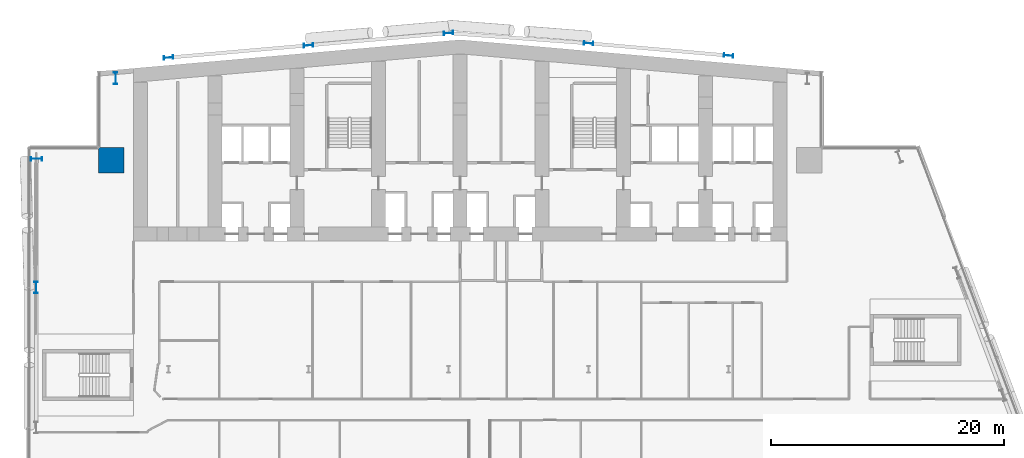
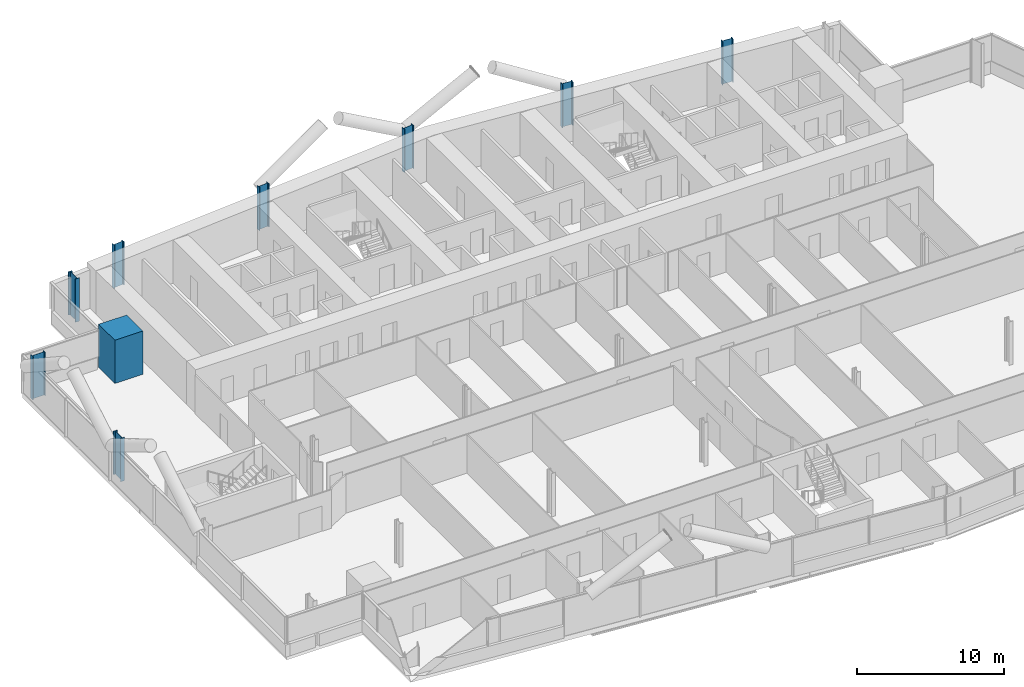
# One storey, part 2 of 28: 9 columns.
"""IFC4 building model written with IfcOpenShell, lengths in metres."""

from ifc_helpers import new_model, si_unit, direction, frame, origin, origin_2d, place, context, subcontext, project, spatial, rectangle, i_section, extrude, material, material_profile, profile_set, type_object, element, save


model = new_model("IFC4")

# Units and contexts
model_context = context("Model", 3, precision=1e-05, world=origin(), true_north=direction((0.0, 1.0)))
body_context = subcontext(model_context, "Body", "Model", "MODEL_VIEW")
ifc_project = project(units=[si_unit("LENGTHUNIT", "METRE"), si_unit("AREAUNIT", "SQUARE_METRE"), si_unit("VOLUMEUNIT", "CUBIC_METRE"), si_unit("PLANEANGLEUNIT", "RADIAN"), si_unit("MASSUNIT", "GRAM", prefix="KILO")], contexts=[model_context])

# Site, building, storey
site_placement = place(None, origin())
site = spatial("IfcSite", under=ifc_project, at=site_placement, CompositionType="ELEMENT")
building_placement = place(site_placement, origin())
building = spatial("IfcBuilding", under=site, at=building_placement, Name="Wharfspan Tower", CompositionType="ELEMENT")
storey_placement = place(building_placement, frame((0.0, 0.0, 59.5)))
storey = spatial("IfcBuildingStorey", under=building, at=storey_placement, Name="L11", CompositionType="ELEMENT", Elevation=59.5)

# Columns
ifc_material_1 = material(Name="Steel S355J2", Category="steel")
ifc_material_profile_1 = material_profile(ifc_material_1, i_section(OverallWidth=0.302002, OverallDepth=1.008057, WebThickness=0.020996, FlangeThickness=0.040039, FilletRadius=0.030029, at=origin_2d()))
ifc_profile_set_1 = profile_set([ifc_material_profile_1], Name="Steel S355J2")
column_type_1 = type_object("IfcColumnType", Name="Column HEM 1000", PredefinedType="COLUMN", material=ifc_profile_set_1)
for number, where, z_axis, x_axis, name in (
    (1, (7.466553, 47.933594, 0.0), (0.0, 0.0, 1.0), (-1.0, 0.0, 0.0), "Perimeter column PNRW-V.1 L11"),
    (2, (0.684814, 41.03418, 0.0), (0.0, 0.0, 1.0), (0.0, 1.0, 0.0), "Perimeter column PNRW-H.1 L11"),
    (3, (0.659912, 30.0, 0.0), (0.0, 0.0, 1.0), (-1.0, 0.0, 0.0), "Perimeter column PW.1 L11"),
):
    element("IfcColumn", number, at=place(storey_placement, frame(where, z_axis=z_axis, x_axis=x_axis)), inside=storey, type_object=column_type_1, Name=name, PredefinedType="COLUMN", context=body_context, shape_type="SweptSolid", body=[
        extrude(i_section(OverallWidth=0.302002, OverallDepth=1.008057, WebThickness=0.020996, FlangeThickness=0.040039, FilletRadius=0.030029, at=origin_2d()), origin(), (0.0, 0.0, 1.0), 3.600098),
    ])
ifc_material_profile_2 = material_profile(ifc_material_1, i_section(OverallWidth=0.302979, OverallDepth=0.813965, WebThickness=0.020996, FlangeThickness=0.040039, FilletRadius=0.030029, at=origin_2d()))
ifc_profile_set_2 = profile_set([ifc_material_profile_2], Name="Steel S355J2")
column_type_2 = type_object("IfcColumnType", Name="Column HEM 800", PredefinedType="COLUMN", material=ifc_profile_set_2)
for number, where, z_axis, x_axis, name in (
    (4, (12.0, 49.709961, 0.0), (0.0, 0.0, 1.0), (-0.087156, 0.996197, 0.0), "Rear column R.1 L11"),
    (5, (24.0, 50.759766, 0.0), (0.0, 0.0, 1.0), (-0.087156, 0.996197, 0.0), "Rear column R.2 L11"),
    (6, (36.0, 51.80957, 0.0), (0.0, 0.0, 1.0), (-0.087156, 0.996197, 0.0), "Rear column R.3 L11"),
    (7, (48.0, 50.934814, 0.0), (0.0, 0.0, 1.0), (0.087156, 0.996197, 0.0), "Rear column R.4 L11"),
    (8, (60.0, 49.884766, 0.0), (0.0, 0.0, 1.0), (0.087156, 0.996197, 0.0), "Rear column R.5 L11"),
):
    element("IfcColumn", number, at=place(storey_placement, frame(where, z_axis=z_axis, x_axis=x_axis)), inside=storey, type_object=column_type_2, Name=name, PredefinedType="COLUMN", context=body_context, shape_type="SweptSolid", body=[
        extrude(i_section(OverallWidth=0.302979, OverallDepth=0.813965, WebThickness=0.020996, FlangeThickness=0.040039, FilletRadius=0.030029, at=origin_2d()), origin(), (0.0, 0.0, 1.0), 3.600098),
    ])
ifc_material_2 = material(Name="Concrete C70/85", Category="concrete")
ifc_material_profile_3 = material_profile(ifc_material_2, rectangle(XDim=2.199951, YDim=2.199951, at=origin_2d()))
ifc_profile_set_3 = profile_set([ifc_material_profile_3], Name="Concrete C70/85")
column_type_3 = type_object("IfcColumnType", Name="Mega column 2200 C70/85", PredefinedType="COLUMN", material=ifc_profile_set_3)
column_placement = place(storey_placement, frame((7.100098, 40.899902, 0.0), z_axis=(0.0, 0.0, 1.0), x_axis=(1.0, 0.0, 0.0)))
element("IfcColumn", 9, at=column_placement, inside=storey, type_object=column_type_3, Name="Mega column MC2 L11", PredefinedType="COLUMN", context=body_context, shape_type="SweptSolid", body=[
    extrude(rectangle(XDim=2.199951, YDim=2.199951, at=origin_2d()), origin(), (0.0, 0.0, 1.0), 3.600098),
])

save(model, "model.ifc")
